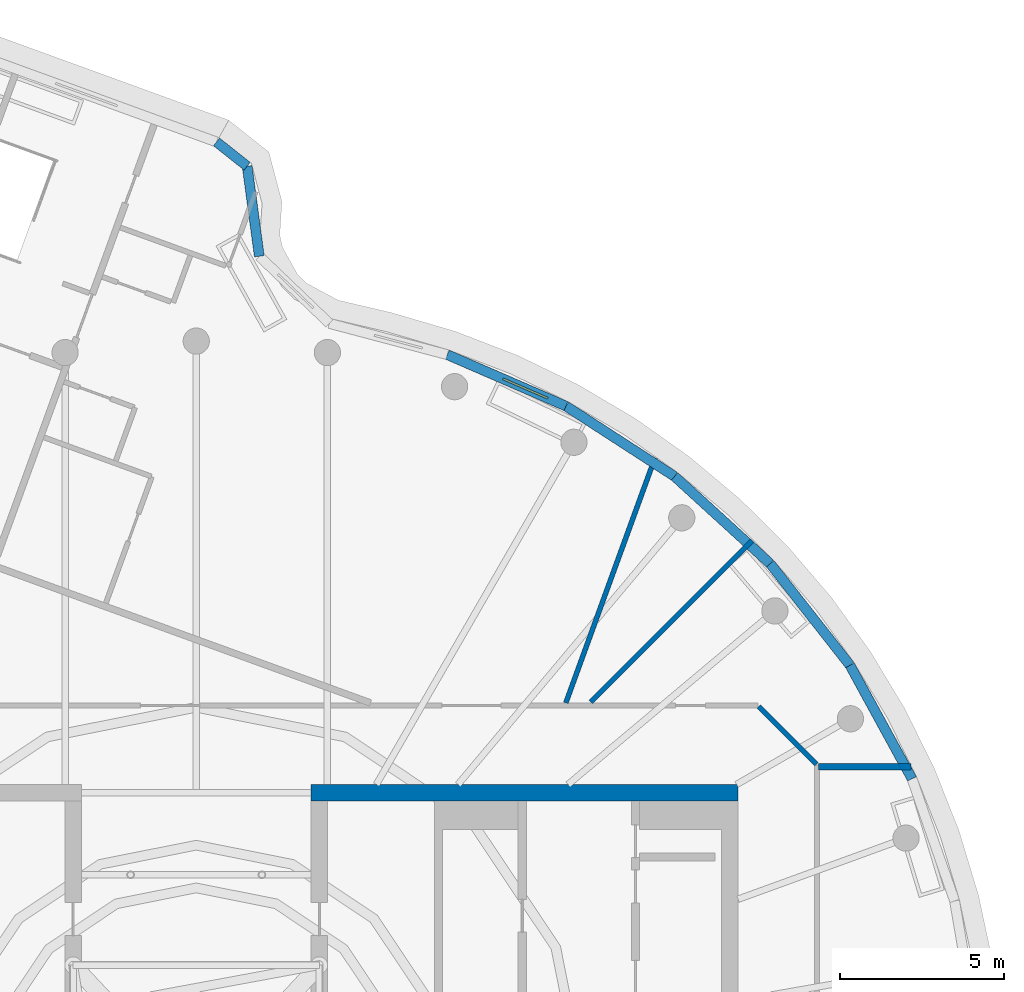
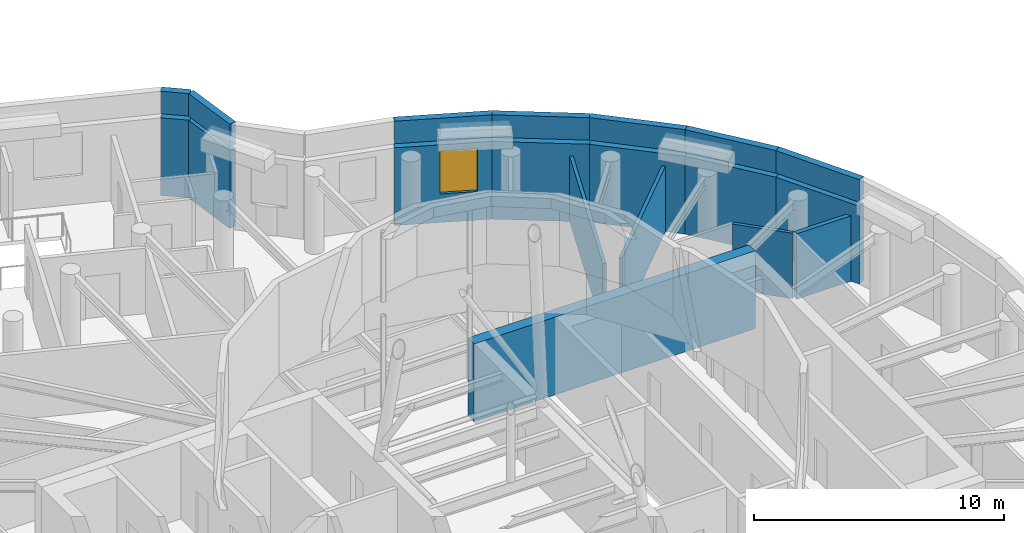
# One storey, part 15 of 17: 19 walls, 1 window, 1 opening.
"""IFC4 building model written with IfcOpenShell, lengths in metres."""

from ifc_helpers import new_model, si_unit, direction, frame, frame_2d, origin, place, context, subcontext, project, spatial, rectangle, extrude, material, layer, layer_set, type_object, element, fill, save


model = new_model("IFC4")

# Units and contexts
model_context = context("Model", 3, precision=1e-05, world=origin(), true_north=direction((0.0, 1.0)))
body_context = subcontext(model_context, "Body", "Model", "MODEL_VIEW")
ifc_project = project(units=[si_unit("LENGTHUNIT", "METRE"), si_unit("AREAUNIT", "SQUARE_METRE"), si_unit("VOLUMEUNIT", "CUBIC_METRE"), si_unit("PLANEANGLEUNIT", "RADIAN"), si_unit("MASSUNIT", "GRAM", prefix="KILO")], contexts=[model_context])

# Site, building, storey
site_placement = place(None, origin())
site = spatial("IfcSite", under=ifc_project, at=site_placement, CompositionType="ELEMENT")
building_placement = place(site_placement, origin())
building = spatial("IfcBuilding", under=site, at=building_placement, Name="Tamarind Cross Interchange Tower", CompositionType="ELEMENT")
storey_placement = place(building_placement, frame((0.0, 0.0, 325.39990234375)))
storey = spatial("IfcBuildingStorey", under=building, at=storey_placement, Name="L80", CompositionType="ELEMENT", Elevation=325.39990234375)

# Walls
ifc_material_1 = material(Name="Concrete C50", Category="concrete")
ifc_layer_1 = layer(ifc_material_1, 0.5)
ifc_layer_set_1 = layer_set([ifc_layer_1], Name="Concrete C50")
wall_type_1 = type_object("IfcWallType", Name="Core wall 500 mm Concrete C50", PredefinedType="SHEAR", material=ifc_layer_set_1)
wall_1_placement = place(storey_placement, frame((16.5, 9.25, 0.0), z_axis=(0.0, 0.0, 1.0), x_axis=(-1.0, 0.0, 0.0)))
element("IfcWall", 1, at=wall_1_placement, inside=storey, type_object=wall_type_1, Name="Core wall CWL-L80-E-NE", PredefinedType="SHEAR", context=body_context, shape_type="SweptSolid", body=[
    extrude(rectangle(XDim=13.0, YDim=0.5, at=frame_2d((6.5, 0.0))), origin(), (0.0, 0.0, 1.0), 3.800048828125),
])
ifc_material_2 = material(Name="Concrete C40", Category="concrete")
ifc_layer_2 = layer(ifc_material_2, 0.300048828125)
ifc_layer_set_2 = layer_set([ifc_layer_2], Name="Concrete C40")
wall_type_2 = type_object("IfcWallType", Name="Parapet upstand", PredefinedType="PARAPET", material=ifc_layer_set_2)
wall_2_placement = place(storey_placement, frame((21.7958984375, 9.672607421875, 4.0), z_axis=(0.0, 0.0, 1.0), x_axis=(-0.479742253376, 0.877409465601, 0.0)))
element("IfcWall", 2, at=wall_2_placement, inside=storey, type_object=wall_type_2, Name="EXW-L80-P02-28", PredefinedType="PARAPET", context=body_context, shape_type="SweptSolid", body=[
    extrude(rectangle(XDim=3.9384765625, YDim=0.300048828125, at=frame_2d((1.96923828125, 0.0))), origin(), (0.0, 0.0, 1.0), 1.10009765625),
])
wall_3_placement = place(storey_placement, frame((19.906494140625, 13.128173828125, 4.0), z_axis=(0.0, 0.0, 1.0), x_axis=(-0.617577851206, 0.786509756901, 0.0)))
element("IfcWall", 3, at=wall_3_placement, inside=storey, type_object=wall_type_2, Name="EXW-L80-P02-29", PredefinedType="PARAPET", context=body_context, shape_type="SweptSolid", body=[
    extrude(rectangle(XDim=3.938232421875, YDim=0.300048828125, at=frame_2d((1.96923828125, 0.0))), origin(), (0.0, 0.0, 1.0), 1.10009765625),
])
wall_4_placement = place(storey_placement, frame((17.474365234375, 16.2255859375, 4.0), z_axis=(0.0, 0.0, 1.0), x_axis=(-0.738634435884, 0.674106200926, 0.0)))
element("IfcWall", 4, at=wall_4_placement, inside=storey, type_object=wall_type_2, Name="EXW-L80-P02-30", PredefinedType="PARAPET", context=body_context, shape_type="SweptSolid", body=[
    extrude(rectangle(XDim=3.9384765625, YDim=0.300048828125, at=frame_2d((1.96923828125, 0.0))), origin(), (0.0, 0.0, 1.0), 1.10009765625),
])
wall_5_placement = place(storey_placement, frame((14.565185546875, 18.880615234375, 4.0), z_axis=(0.0, 0.0, 1.0), x_axis=(-0.839498632024, 0.54336180104, 0.0)))
element("IfcWall", 5, at=wall_5_placement, inside=storey, type_object=wall_type_2, Name="EXW-L80-P02-31", PredefinedType="PARAPET", context=body_context, shape_type="SweptSolid", body=[
    extrude(rectangle(XDim=3.938232421875, YDim=0.300048828125, at=frame_2d((1.96923828125, 0.0))), origin(), (0.0, 0.0, 1.0), 1.10009765625),
])
wall_6_placement = place(storey_placement, frame((11.259033203125, 21.0205078125, 4.0), z_axis=(0.0, 0.0, 1.0), x_axis=(-0.917505110173, 0.397723990735, 0.0)))
element("IfcWall", 6, at=wall_6_placement, inside=storey, type_object=wall_type_2, Name="EXW-L80-P02-32", PredefinedType="PARAPET", context=body_context, shape_type="SweptSolid", body=[
    extrude(rectangle(XDim=3.9384765625, YDim=0.300048828125, at=frame_2d((1.96923828125, 0.0))), origin(), (0.0, 0.0, 1.0), 1.10009765625),
])
wall_7_placement = place(storey_placement, frame((1.920166015625, 25.583740234375, 4.0), z_axis=(0.0, 0.0, 1.0), x_axis=(-0.133683682647, 0.991024052682, 0.0)))
element("IfcWall", 7, at=wall_7_placement, inside=storey, type_object=wall_type_2, Name="EXW-L80-P02-35", PredefinedType="PARAPET", context=body_context, shape_type="SweptSolid", body=[
    extrude(rectangle(XDim=2.766845703125, YDim=0.300048828125, at=frame_2d((1.38330078125, 0.0))), origin(), (0.0, 0.0, 1.0), 1.10009765625),
])
wall_8_placement = place(storey_placement, frame((1.55029296875, 28.32568359375, 4.0), z_axis=(0.0, 0.0, 1.0), x_axis=(-0.78354593718, 0.621333858991, 0.0)))
element("IfcWall", 8, at=wall_8_placement, inside=storey, type_object=wall_type_2, Name="EXW-L80-P02-36", PredefinedType="PARAPET", context=body_context, shape_type="SweptSolid", body=[
    extrude(rectangle(XDim=1.18896484375, YDim=0.300048828125, at=frame_2d((0.594482421875, 0.0))), origin(), (0.0, 0.0, 1.0), 1.10009765625),
])
ifc_material_3 = material(Name="Gypsum board partition on steel studs", Category="steel")
ifc_layer_3 = layer(ifc_material_3, 0.14990234375)
ifc_layer_set_3 = layer_set([ifc_layer_3], Name="Gypsum board partition on steel studs")
wall_type_3 = type_object("IfcWallType", Name="Partition 150 mm EI 120", PredefinedType="PARTITIONING", material=ifc_layer_set_3)
wall_9_placement = place(storey_placement, frame((17.12841796875, 11.87158203125, 0.0), z_axis=(0.0, 0.0, 1.0), x_axis=(0.707106781187, -0.707106781187, 0.0)))
element("IfcWall", 9, at=wall_9_placement, inside=storey, type_object=wall_type_3, Name="Partition L80-004", PredefinedType="PARTITIONING", context=body_context, shape_type="SweptSolid", body=[
    extrude(rectangle(XDim=2.485595703125, YDim=0.14990234375, at=frame_2d((1.24267578125, 0.0))), origin(), (0.0, 0.0, 1.0), 3.2001953125),
])
wall_10_placement = place(storey_placement, frame((12.009521484375, 12.009521484375, 0.0), z_axis=(0.0, 0.0, 1.0), x_axis=(0.707106781187, 0.707106781187, 0.0)))
element("IfcWall", 10, at=wall_10_placement, inside=storey, type_object=wall_type_3, Name="Partition L80-020", PredefinedType="PARTITIONING", context=body_context, shape_type="SweptSolid", body=[
    extrude(rectangle(XDim=6.954345703125, YDim=0.14990234375, at=frame_2d((3.47705078125, 0.0))), origin(), (0.0, 0.0, 1.0), 3.2001953125),
])
wall_11_placement = place(storey_placement, frame((11.25390625, 11.984619140625, 0.0), z_axis=(0.0, 0.0, 1.0), x_axis=(0.341898627175, 0.93973684015, 0.0)))
element("IfcWall", 11, at=wall_11_placement, inside=storey, type_object=wall_type_3, Name="Partition L80-030", PredefinedType="PARTITIONING", context=body_context, shape_type="SweptSolid", body=[
    extrude(rectangle(XDim=7.938232421875, YDim=0.14990234375, at=frame_2d((3.96923828125, 0.0))), origin(), (0.0, 0.0, 1.0), 3.2001953125),
])
ifc_layer_4 = layer(ifc_material_3, 0.199951171875)
ifc_layer_set_4 = layer_set([ifc_layer_4], Name="Gypsum board partition on steel studs")
wall_type_4 = type_object("IfcWallType", Name="Partition 200 mm EI 180", PredefinedType="PARTITIONING", material=ifc_layer_set_4)
wall_12_placement = place(storey_placement, frame((18.955078125, 10.044921875, 0.0), z_axis=(0.0, 0.0, 1.0), x_axis=(1.0, 0.0, 0.0)))
element("IfcWall", 12, at=wall_12_placement, inside=storey, type_object=wall_type_4, Name="Partition L80-017", PredefinedType="PARTITIONING", context=body_context, shape_type="SweptSolid", body=[
    extrude(rectangle(XDim=2.80712890625, YDim=0.199951171875, at=frame_2d((1.403564453125, 0.0))), origin(), (0.0, 0.0, 1.0), 3.2001953125),
])
ifc_material_4 = material(Name="Precast concrete C40", Category="concrete")
ifc_layer_5 = layer(ifc_material_4, 0.300048828125)
ifc_layer_set_5 = layer_set([ifc_layer_5], Name="Precast concrete C40")
wall_type_5 = type_object("IfcWallType", Name="Plant louvre wall", PredefinedType="SOLIDWALL", material=ifc_layer_set_5)
wall_13_placement = place(storey_placement, frame((21.7958984375, 9.672607421875, 0.0), z_axis=(0.0, 0.0, 1.0), x_axis=(-0.479742253376, 0.877409465601, 0.0)))
element("IfcWall", 13, at=wall_13_placement, inside=storey, type_object=wall_type_5, Name="EXW-L80-02-28", PredefinedType="SOLIDWALL", context=body_context, shape_type="SweptSolid", body=[
    extrude(rectangle(XDim=3.9384765625, YDim=0.300048828125, at=frame_2d((1.96923828125, 0.0))), origin(), (0.0, 0.0, 1.0), 3.800048828125),
])
wall_14_placement = place(storey_placement, frame((19.906494140625, 13.128173828125, 0.0), z_axis=(0.0, 0.0, 1.0), x_axis=(-0.617577851206, 0.786509756901, 0.0)))
element("IfcWall", 14, at=wall_14_placement, inside=storey, type_object=wall_type_5, Name="EXW-L80-02-29", PredefinedType="SOLIDWALL", context=body_context, shape_type="SweptSolid", body=[
    extrude(rectangle(XDim=3.938232421875, YDim=0.300048828125, at=frame_2d((1.96923828125, 0.0))), origin(), (0.0, 0.0, 1.0), 3.800048828125),
])
wall_15_placement = place(storey_placement, frame((17.474365234375, 16.2255859375, 0.0), z_axis=(0.0, 0.0, 1.0), x_axis=(-0.738634435884, 0.674106200926, 0.0)))
element("IfcWall", 15, at=wall_15_placement, inside=storey, type_object=wall_type_5, Name="EXW-L80-02-30", PredefinedType="SOLIDWALL", context=body_context, shape_type="SweptSolid", body=[
    extrude(rectangle(XDim=3.9384765625, YDim=0.300048828125, at=frame_2d((1.96923828125, 0.0))), origin(), (0.0, 0.0, 1.0), 3.800048828125),
])
wall_16_placement = place(storey_placement, frame((14.565185546875, 18.880615234375, 0.0), z_axis=(0.0, 0.0, 1.0), x_axis=(-0.839498632024, 0.54336180104, 0.0)))
element("IfcWall", 16, at=wall_16_placement, inside=storey, type_object=wall_type_5, Name="EXW-L80-02-31", PredefinedType="SOLIDWALL", context=body_context, shape_type="SweptSolid", body=[
    extrude(rectangle(XDim=3.938232421875, YDim=0.300048828125, at=frame_2d((1.96923828125, 0.0))), origin(), (0.0, 0.0, 1.0), 3.800048828125),
])

# Wall, opening, window
wall_17_placement = place(storey_placement, frame((11.259033203125, 21.0205078125, 0.0), z_axis=(0.0, 0.0, 1.0), x_axis=(-0.917505110173, 0.397723990735, 0.0)))
wall_17 = element("IfcWall", 17, at=wall_17_placement, inside=storey, type_object=wall_type_5, Name="EXW-L80-02-32", PredefinedType="SOLIDWALL", context=body_context, shape_type="SweptSolid", body=[
    extrude(rectangle(XDim=3.9384765625, YDim=0.300048828125, at=frame_2d((1.96923828125, 0.0))), origin(), (0.0, 0.0, 1.0), 3.800048828125),
])
opening_placement = place(wall_17_placement, frame((0.60009765625, 0.0, 1.39990234375)))
opening = element("IfcOpeningElement", 18, at=opening_placement, cuts=wall_17, Name="Opening W2", PredefinedType="OPENING", context=body_context, shape_type="SweptSolid", body=[
    extrude(rectangle(XDim=1.498291015625, YDim=2.10009765625, at=frame_2d((0.7490234375, 1.050048828125))), frame((0.0, 0.159912109375, 0.0), z_axis=(0.0, -1.0, 0.0), x_axis=(1.0, 0.0, 0.0)), (0.0, 0.0, 1.0), 0.320068359375),
])
ifc_material_5 = material(Name="Aluminium louvre", Category="aluminium")
window_type = type_object("IfcWindowType", Name="Plant louvre bank", PartitioningType="SINGLE_PANEL", PredefinedType="WINDOW", material=ifc_material_5)
window_placement = place(opening_placement, origin())
window = element("IfcWindow", 19, at=window_placement, inside=storey, type_object=window_type, Name="WIN-L80-02-32", OverallHeight=2.10009765625, OverallWidth=1.498291015625, PartitioningType="SINGLE_PANEL", PredefinedType="WINDOW", context=body_context, shape_type="SweptSolid", body=[
    extrude(rectangle(XDim=1.498291015625, YDim=2.10009765625, at=frame_2d((0.7490234375, 1.050048828125))), frame((0.0, 0.030029296875, 0.0), z_axis=(0.0, -1.0, 0.0), x_axis=(1.0, 0.0, 0.0)), (0.0, 0.0, 1.0), 0.06005859375),
])
fill(opening, window)

# Walls
wall_18_placement = place(storey_placement, frame((1.920166015625, 25.583740234375, 0.0), z_axis=(0.0, 0.0, 1.0), x_axis=(-0.133683682647, 0.991024052682, 0.0)))
element("IfcWall", 20, at=wall_18_placement, inside=storey, type_object=wall_type_5, Name="EXW-L80-02-35", PredefinedType="SOLIDWALL", context=body_context, shape_type="SweptSolid", body=[
    extrude(rectangle(XDim=2.766845703125, YDim=0.300048828125, at=frame_2d((1.38330078125, 0.0))), origin(), (0.0, 0.0, 1.0), 3.800048828125),
])
wall_19_placement = place(storey_placement, frame((1.55029296875, 28.32568359375, 0.0), z_axis=(0.0, 0.0, 1.0), x_axis=(-0.78354593718, 0.621333858991, 0.0)))
element("IfcWall", 21, at=wall_19_placement, inside=storey, type_object=wall_type_5, Name="EXW-L80-02-36", PredefinedType="SOLIDWALL", context=body_context, shape_type="SweptSolid", body=[
    extrude(rectangle(XDim=1.18896484375, YDim=0.300048828125, at=frame_2d((0.594482421875, 0.0))), origin(), (0.0, 0.0, 1.0), 3.800048828125),
])

save(model, "model.ifc")
